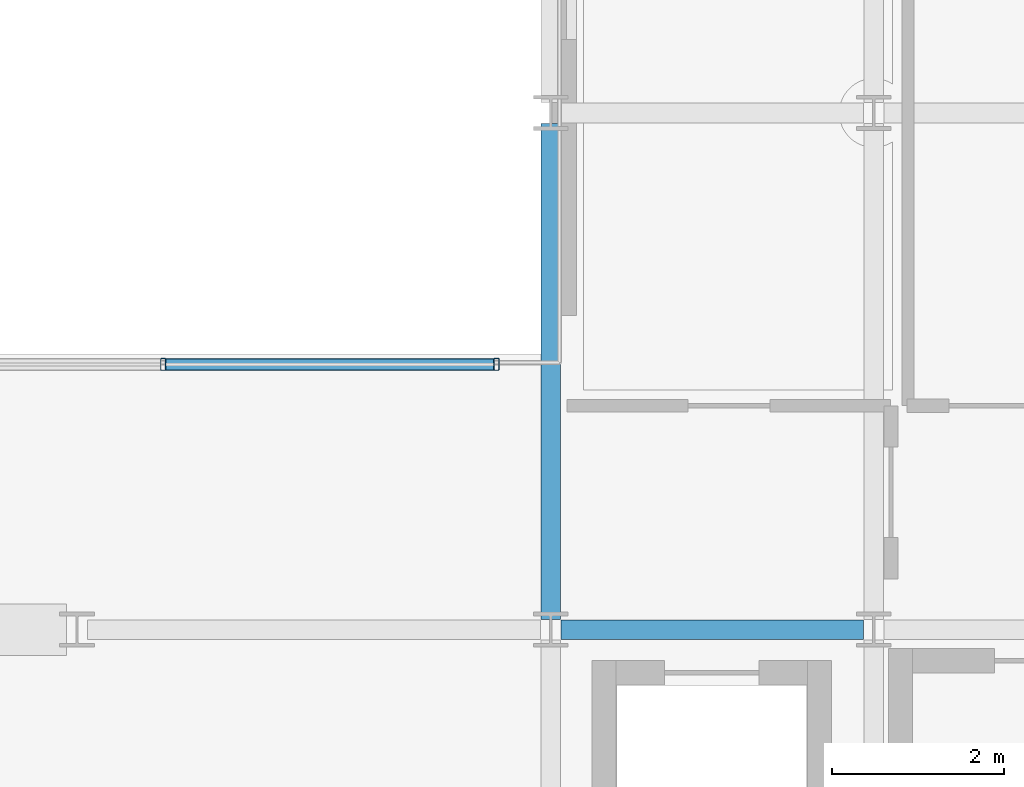
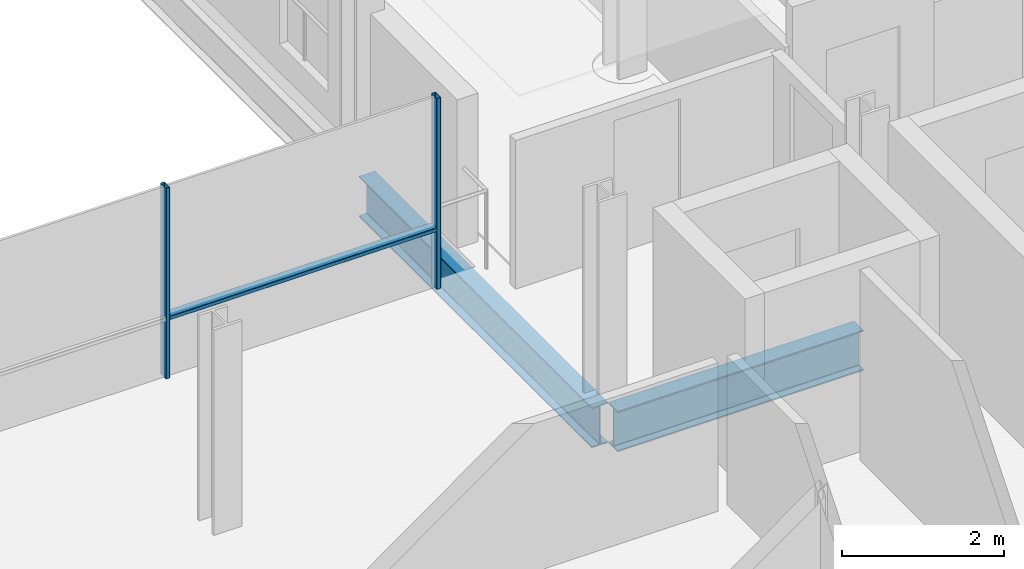
# One storey, part 15 of 39: 3 members, 2 beams, 1 element without a shape of its own.
"""IFC4 building model written with IfcOpenShell, lengths in metres."""

from ifc_helpers import new_model, si_unit, direction, frame, origin, origin_2d, place, context, subcontext, project, spatial, hollow_rectangle, i_section, extrude, material, layer, layer_set, material_profile, profile_set, type_object, element, aggregate, save


model = new_model("IFC4")

# Units and contexts
model_context = context("Model", 3, precision=1e-05, world=origin(), true_north=direction((0.0, 1.0)))
body_context = subcontext(model_context, "Body", "Model", "MODEL_VIEW")
ifc_project = project(units=[si_unit("LENGTHUNIT", "METRE"), si_unit("AREAUNIT", "SQUARE_METRE"), si_unit("VOLUMEUNIT", "CUBIC_METRE"), si_unit("PLANEANGLEUNIT", "RADIAN"), si_unit("MASSUNIT", "GRAM", prefix="KILO")], contexts=[model_context])

# Site, building, storey
site_placement = place(None, origin())
site = spatial("IfcSite", under=ifc_project, at=site_placement, CompositionType="ELEMENT")
building_placement = place(site_placement, origin())
building = spatial("IfcBuilding", under=site, at=building_placement, Name="Brevholm Reach", CompositionType="ELEMENT")
storey_placement = place(building_placement, frame((0.0, 0.0, 154.199951171875)))
storey = spatial("IfcBuildingStorey", under=building, at=storey_placement, Name="L46", CompositionType="ELEMENT", Elevation=154.199951171875)

# Beams
ifc_material_1 = material(Name="Structural Steel S355J2", Category="steel")
ifc_material_profile_1 = material_profile(ifc_material_1, i_section(OverallWidth=0.22900390625, OverallDepth=0.6123046875, WebThickness=0.011962890625, FlangeThickness=0.01953125, FilletRadius=0.0126953125, at=origin_2d()), Name="UKB 610x229x125")
ifc_profile_set_1 = profile_set([ifc_material_profile_1], Name="Structural Steel S355J2")
beam_type = type_object("IfcBeamType", Name="BM-SP610", PredefinedType="SPANDREL", material=ifc_profile_set_1)
beam_1_placement = place(storey_placement, frame((38.3701171875, 10.0, -0.526123046875), z_axis=(1.0, 0.0, 0.0), x_axis=(0.0, 1.0, 0.0)))
element("IfcBeam", 1, at=beam_1_placement, inside=storey, type_object=beam_type, Name="L46 SP-01 Framing Beam", PredefinedType="SPANDREL", context=body_context, shape_type="SweptSolid", body=[
    extrude(i_section(OverallWidth=0.22900390625, OverallDepth=0.6123046875, WebThickness=0.011962890625, FlangeThickness=0.01953125, FilletRadius=0.0126953125, at=origin_2d()), origin(), (0.0, 0.0, 1.0), 3.509765625),
])
beam_2_placement = place(storey_placement, frame((38.25, 10.1201171875, -0.526123046875), z_axis=(0.0, 1.0, 0.0), x_axis=(-1.0, 0.0, 0.0)))
element("IfcBeam", 2, at=beam_2_placement, inside=storey, type_object=beam_type, Name="L46 SP-01 Framing Beam", PredefinedType="SPANDREL", context=body_context, shape_type="SweptSolid", body=[
    extrude(i_section(OverallWidth=0.22900390625, OverallDepth=0.6123046875, WebThickness=0.011962890625, FlangeThickness=0.01953125, FilletRadius=0.0126953125, at=origin_2d()), origin(), (0.0, 0.0, 1.0), 5.759765625),
])

# Curtain wall, members
ifc_material_2 = material(Name="Dark Anodised Aluminium 6063-T6 and Solar-Control Glass", Category="aluminium")
ifc_layer = layer(ifc_material_2, 0.139892578125)
ifc_layer_set = layer_set([ifc_layer], Name="Dark Anodised Aluminium 6063-T6 and Solar-Control Glass")
curtain_wall_type = type_object("IfcCurtainWallType", Name="CW-02", PredefinedType="NOTDEFINED", material=ifc_layer_set)
curtain_wall_placement = place(storey_placement, origin())
curtain_wall = element("IfcCurtainWall", 3, at=curtain_wall_placement, inside=storey, type_object=curtain_wall_type, Name="L46 Curtain Wall CW-02", PredefinedType="NOTDEFINED")
ifc_material_3 = material(Name="Dark Anodised Aluminium 6063-T6", Category="aluminium")
ifc_material_profile_2 = material_profile(ifc_material_3, hollow_rectangle(XDim=0.06005859375, YDim=0.139892578125, WallThickness=0.0048828125, InnerFilletRadius=0.0048828125, OuterFilletRadius=0.010009765625, at=origin_2d()), Name="RHS 140x60x5")
ifc_profile_set_2 = profile_set([ifc_material_profile_2], Name="Dark Anodised Aluminium 6063-T6")
member_type_1 = type_object("IfcMemberType", Name="CWM-140", PredefinedType="MULLION", material=ifc_profile_set_2)
member_1_placement = place(storey_placement, frame((33.75, 13.080078125, 0.0), z_axis=(0.0, 0.0, 1.0), x_axis=(1.0, 0.0, 0.0)))
member_1 = element("IfcMember", 4, at=member_1_placement, type_object=member_type_1, Name="CM-140 Mullion 4", PredefinedType="MULLION", context=body_context, shape_type="SweptSolid", body=[
    extrude(hollow_rectangle(XDim=0.06005859375, YDim=0.139892578125, WallThickness=0.0048828125, InnerFilletRadius=0.0048828125, OuterFilletRadius=0.010009765625, at=origin_2d()), origin(), (0.0, 0.0, 1.0), 2.880126953125),
])
member_2_placement = place(storey_placement, frame((37.6201171875, 13.080078125, 0.0), z_axis=(0.0, 0.0, 1.0), x_axis=(1.0, 0.0, 0.0)))
member_2 = element("IfcMember", 5, at=member_2_placement, type_object=member_type_1, Name="CM-140 Mullion 5", PredefinedType="MULLION", context=body_context, shape_type="SweptSolid", body=[
    extrude(hollow_rectangle(XDim=0.06005859375, YDim=0.139892578125, WallThickness=0.0048828125, InnerFilletRadius=0.0048828125, OuterFilletRadius=0.010009765625, at=origin_2d()), origin(), (0.0, 0.0, 1.0), 2.880126953125),
])
ifc_material_4 = material(Name="Dark Anodised Aluminium 6063-T6", Category="aluminium")
ifc_material_profile_3 = material_profile(ifc_material_4, hollow_rectangle(XDim=0.06005859375, YDim=0.139892578125, WallThickness=0.0048828125, InnerFilletRadius=0.0048828125, OuterFilletRadius=0.010009765625, at=origin_2d()), Name="RHS 140x60x5")
ifc_profile_set_3 = profile_set([ifc_material_profile_3], Name="Dark Anodised Aluminium 6063-T6")
member_type_2 = type_object("IfcMemberType", Name="CWT-140", PredefinedType="NOTDEFINED", material=ifc_profile_set_3)
member_3_placement = place(storey_placement, frame((33.780029296875, 13.080078125, 0.900146484375), z_axis=(1.0, 0.0, 0.0), x_axis=(0.0, 0.0, 1.0)))
member_3 = element("IfcMember", 6, at=member_3_placement, type_object=member_type_2, Name="CT-140 Transom 4.1", ObjectType="TRANSOM", PredefinedType="USERDEFINED", context=body_context, shape_type="SweptSolid", body=[
    extrude(hollow_rectangle(XDim=0.06005859375, YDim=0.139892578125, WallThickness=0.0048828125, InnerFilletRadius=0.0048828125, OuterFilletRadius=0.010009765625, at=origin_2d()), origin(), (0.0, 0.0, 1.0), 3.81005859375),
])
aggregate(curtain_wall, [member_1, member_2, member_3])

save(model, "model.ifc")
